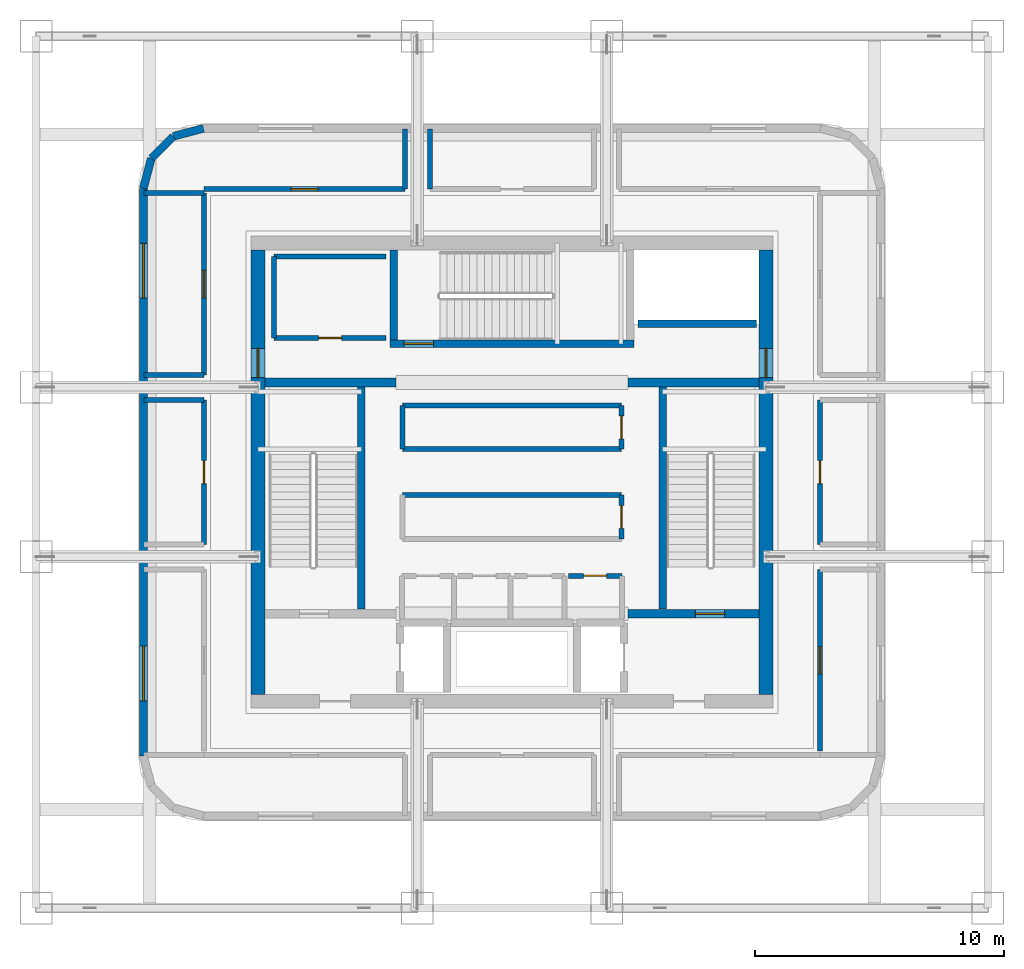
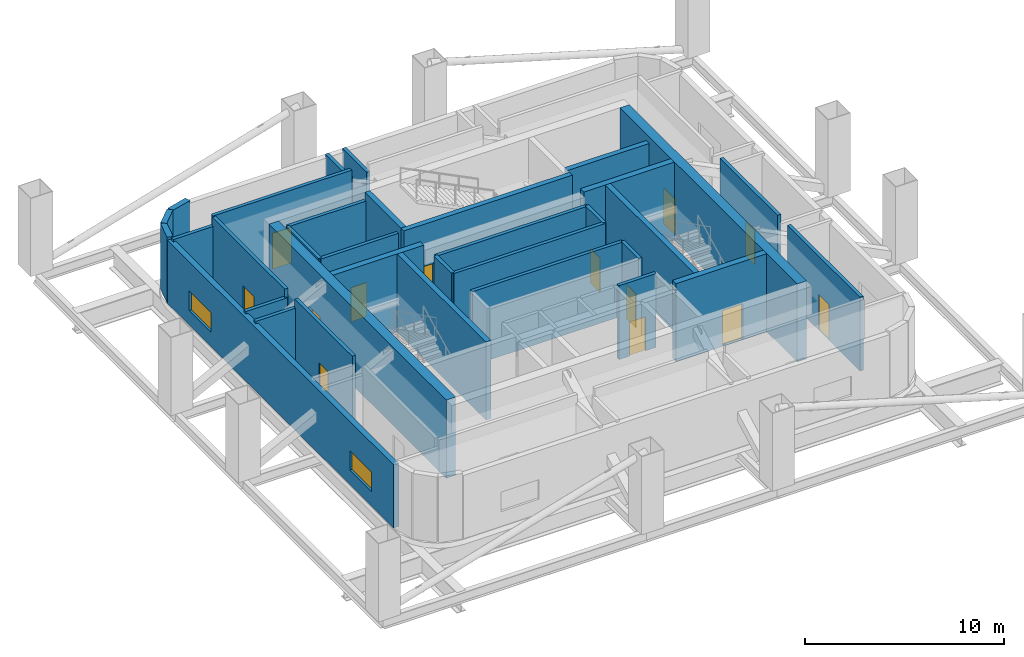
# One storey, part 5 of 8: 34 walls, 13 doors, 2 windows, 15 openings.
"""IFC4 building model written with IfcOpenShell, lengths in metres."""

from ifc_helpers import new_model, si_unit, direction, frame, frame_2d, origin, place, context, subcontext, project, spatial, rectangle, extrude, material, layer, layer_set, type_object, element, fill, save


model = new_model("IFC4")

# Units and contexts
model_context = context("Model", 3, precision=1e-05, world=origin(), true_north=direction((0.0, 1.0)))
body_context = subcontext(model_context, "Body", "Model", "MODEL_VIEW")
ifc_project = project(units=[si_unit("LENGTHUNIT", "METRE"), si_unit("AREAUNIT", "SQUARE_METRE"), si_unit("VOLUMEUNIT", "CUBIC_METRE"), si_unit("PLANEANGLEUNIT", "RADIAN"), si_unit("MASSUNIT", "GRAM", prefix="KILO")], contexts=[model_context])

# Site, building, storey
site_placement = place(None, origin())
site = spatial("IfcSite", under=ifc_project, at=site_placement, CompositionType="ELEMENT")
building_placement = place(site_placement, origin())
building = spatial("IfcBuilding", under=site, at=building_placement, Name="Punatoya Terracotta Tower", CompositionType="ELEMENT")
storey_placement = place(building_placement, frame((0.0, 0.0, 241.800048828125)))
storey = spatial("IfcBuildingStorey", under=building, at=storey_placement, Name="L57", CompositionType="ELEMENT", Elevation=241.800048828125)

# Wall, opening, door
ifc_material_1 = material(Name="Concrete C50/60", Category="concrete")
ifc_layer_1 = layer(ifc_material_1, 0.550048828125)
ifc_layer_set_1 = layer_set([ifc_layer_1], Name="Concrete C50/60")
wall_type_1 = type_object("IfcWallType", Name="WL-COR-550", PredefinedType="SHEAR", material=ifc_layer_set_1)
wall_1_placement = place(storey_placement, frame((-10.199951171875, -8.925048828125, 0.0), z_axis=(0.0, 0.0, 1.0), x_axis=(0.0, 1.0, 0.0)))
wall_1 = element("IfcWall", 1, at=wall_1_placement, inside=storey, type_object=wall_type_1, Name="L57 Core Shear Wall W", PredefinedType="SHEAR", context=body_context, shape_type="SweptSolid", body=[
    extrude(rectangle(XDim=17.85009765625, YDim=0.550048828125, at=frame_2d((8.925048828125, 0.0))), origin(), (0.0, 0.0, 1.0), 4.800048828125),
])
opening_1_placement = place(wall_1_placement, frame((12.715087890625, 0.0, 0.0)))
opening_1 = element("IfcOpeningElement", 2, at=opening_1_placement, cuts=wall_1, Name="Opening SD-01", PredefinedType="OPENING", context=body_context, shape_type="SweptSolid", body=[
    extrude(rectangle(XDim=1.179931640625, YDim=2.199951171875, at=frame_2d((0.58984375, 1.10009765625))), frame((0.0, 0.284912109375, 0.0), z_axis=(0.0, -1.0, 0.0), x_axis=(1.0, 0.0, 0.0)), (0.0, 0.0, 1.0), 0.570068359375),
])
ifc_material_2 = material(Name="Galvanised Steel Pressurized Stair Fire Door", Category="steel")
door_type_1 = type_object("IfcDoorType", Name="DR-STR-1180", OperationType="NOTDEFINED", PredefinedType="DOOR", material=ifc_material_2)
door_1_placement = place(opening_1_placement, origin())
door_1 = element("IfcDoor", 3, at=door_1_placement, inside=storey, type_object=door_type_1, Name="L57 Central Lift Lobby West Fire Door", OperationType="SINGLE_SWING_LEFT", OverallHeight=2.199951171875, OverallWidth=1.179931640625, PredefinedType="DOOR", context=body_context, shape_type="SweptSolid", body=[
    extrude(rectangle(XDim=1.179931640625, YDim=2.199951171875, at=frame_2d((0.58984375, 1.10009765625))), frame((0.0, 0.02490234375, 0.0), z_axis=(0.0, -1.0, 0.0), x_axis=(1.0, 0.0, 0.0)), (0.0, 0.0, 1.0), 0.050048828125),
])
fill(opening_1, door_1)

wall_2_placement = place(storey_placement, frame((10.199951171875, 8.925048828125, 0.0), z_axis=(0.0, 0.0, 1.0), x_axis=(0.0, -1.0, 0.0)))
wall_2 = element("IfcWall", 4, at=wall_2_placement, inside=storey, type_object=wall_type_1, Name="L57 Core Shear Wall E", PredefinedType="SHEAR", context=body_context, shape_type="SweptSolid", body=[
    extrude(rectangle(XDim=17.85009765625, YDim=0.550048828125, at=frame_2d((8.925048828125, 0.0))), origin(), (0.0, 0.0, 1.0), 4.800048828125),
])
opening_2_placement = place(wall_2_placement, frame((3.955078125, 0.0, 0.0)))
opening_2 = element("IfcOpeningElement", 5, at=opening_2_placement, cuts=wall_2, Name="Opening SD-01", PredefinedType="OPENING", context=body_context, shape_type="SweptSolid", body=[
    extrude(rectangle(XDim=1.179931640625, YDim=2.199951171875, at=frame_2d((0.58984375, 1.10009765625))), frame((0.0, 0.284912109375, 0.0), z_axis=(0.0, -1.0, 0.0), x_axis=(1.0, 0.0, 0.0)), (0.0, 0.0, 1.0), 0.570068359375),
])
door_2_placement = place(opening_2_placement, origin())
door_2 = element("IfcDoor", 6, at=door_2_placement, inside=storey, type_object=door_type_1, Name="L57 Central Lift Lobby East Fire Door", OperationType="SINGLE_SWING_RIGHT", OverallHeight=2.199951171875, OverallWidth=1.179931640625, PredefinedType="DOOR", context=body_context, shape_type="SweptSolid", body=[
    extrude(rectangle(XDim=1.179931640625, YDim=2.199951171875, at=frame_2d((0.58984375, 1.10009765625))), frame((0.0, 0.02490234375, 0.0), z_axis=(0.0, -1.0, 0.0), x_axis=(1.0, 0.0, 0.0)), (0.0, 0.0, 1.0), 0.050048828125),
])
fill(opening_2, door_2)

# Walls
ifc_material_3 = material(Name="Precast concrete C40/50", Category="concrete")
ifc_layer_2 = layer(ifc_material_3, 0.320068359375)
ifc_layer_set_2 = layer_set([ifc_layer_2], Name="Precast concrete C40/50")
wall_type_2 = type_object("IfcWallType", Name="WL-EXT-320", PredefinedType="SOLIDWALL", material=ifc_layer_set_2)
wall_3_placement = place(storey_placement, frame((-12.386962890625, 13.800048828125, 0.0), z_axis=(0.0, 0.0, 1.0), x_axis=(-0.966283375382, -0.25748094776, 0.0)))
element("IfcWall", 7, at=wall_3_placement, inside=storey, type_object=wall_type_2, Name="L57 Rounded Terracotta Corner Pier 10", PredefinedType="SOLIDWALL", context=body_context, shape_type="SweptSolid", body=[
    extrude(rectangle(XDim=1.25439453125, YDim=0.320068359375, at=frame_2d((0.627197265625, 0.0))), origin(), (0.0, 0.0, 1.0), 4.033935546875),
])
wall_4_placement = place(storey_placement, frame((-13.59912109375, 13.47705078125, 0.0), z_axis=(0.0, 0.0, 1.0), x_axis=(-0.707106781187, -0.707106781187, 0.0)))
element("IfcWall", 8, at=wall_4_placement, inside=storey, type_object=wall_type_2, Name="L57 Rounded Terracotta Corner Pier 11", PredefinedType="SOLIDWALL", context=body_context, shape_type="SweptSolid", body=[
    extrude(rectangle(XDim=1.24169921875, YDim=0.320068359375, at=frame_2d((0.620849609375, 0.0))), origin(), (0.0, 0.0, 1.0), 4.033935546875),
])
wall_5_placement = place(storey_placement, frame((-14.47705078125, 12.59912109375, 0.0), z_axis=(0.0, 0.0, 1.0), x_axis=(-0.25748094776, -0.966283375382, 0.0)))
element("IfcWall", 9, at=wall_5_placement, inside=storey, type_object=wall_type_2, Name="L57 Rounded Terracotta Corner Pier 12", PredefinedType="SOLIDWALL", context=body_context, shape_type="SweptSolid", body=[
    extrude(rectangle(XDim=1.25439453125, YDim=0.320068359375, at=frame_2d((0.627197265625, 0.0))), origin(), (0.0, 0.0, 1.0), 4.033935546875),
])

# Wall, openings, windows
wall_6_placement = place(storey_placement, frame((-14.800048828125, 11.386962890625, 0.0), z_axis=(0.0, 0.0, 1.0), x_axis=(0.0, -1.0, 0.0)))
wall_6 = element("IfcWall", 10, at=wall_6_placement, inside=storey, type_object=wall_type_2, Name="L57 Terracotta Louvre Plant Enclosure W", PredefinedType="SOLIDWALL", context=body_context, shape_type="SweptSolid", body=[
    extrude(rectangle(XDim=22.77392578125, YDim=0.320068359375, at=frame_2d((11.386962890625, 0.0))), origin(), (0.0, 0.0, 1.0), 3.884033203125),
])
opening_3_placement = place(wall_6_placement, frame((2.199951171875, 0.0, 0.89990234375)))
opening_3 = element("IfcOpeningElement", 11, at=opening_3_placement, cuts=wall_6, Name="Opening WN-09", PredefinedType="OPENING", context=body_context, shape_type="SweptSolid", body=[
    extrude(rectangle(XDim=2.199951171875, YDim=1.199951171875, at=frame_2d((1.10009765625, 0.60009765625))), frame((0.0, 0.169921875, 0.0), z_axis=(0.0, -1.0, 0.0), x_axis=(1.0, 0.0, 0.0)), (0.0, 0.0, 1.0), 0.340087890625),
])
opening_4_placement = place(wall_6_placement, frame((18.373779296875, 0.0, 0.89990234375)))
opening_4 = element("IfcOpeningElement", 12, at=opening_4_placement, cuts=wall_6, Name="Opening WN-09", PredefinedType="OPENING", context=body_context, shape_type="SweptSolid", body=[
    extrude(rectangle(XDim=2.199951171875, YDim=1.199951171875, at=frame_2d((1.10009765625, 0.60009765625))), frame((0.0, 0.169921875, 0.0), z_axis=(0.0, -1.0, 0.0), x_axis=(1.0, 0.0, 0.0)), (0.0, 0.0, 1.0), 0.340087890625),
])
ifc_material_4 = material(Name="Aluminium 6063-T6 + Double Low-E Glass", Category="aluminium")
window_type = type_object("IfcWindowType", Name="WIN-CLR-2200", PartitioningType="SINGLE_PANEL", PredefinedType="WINDOW", material=ifc_material_4)
window_1_placement = place(opening_3_placement, origin())
window_1 = element("IfcWindow", 13, at=window_1_placement, inside=storey, type_object=window_type, Name="L57 Refuge Daylight Window W1", OverallHeight=1.199951171875, OverallWidth=2.199951171875, PartitioningType="SINGLE_PANEL", PredefinedType="WINDOW", context=body_context, shape_type="SweptSolid", body=[
    extrude(rectangle(XDim=2.199951171875, YDim=1.199951171875, at=frame_2d((1.10009765625, 0.60009765625))), frame((0.0, 0.030029296875, 0.0), z_axis=(0.0, -1.0, 0.0), x_axis=(1.0, 0.0, 0.0)), (0.0, 0.0, 1.0), 0.06005859375),
])
fill(opening_3, window_1)
window_2_placement = place(opening_4_placement, origin())
window_2 = element("IfcWindow", 14, at=window_2_placement, inside=storey, type_object=window_type, Name="L57 Refuge Daylight Window W2", OverallHeight=1.199951171875, OverallWidth=2.199951171875, PartitioningType="SINGLE_PANEL", PredefinedType="WINDOW", context=body_context, shape_type="SweptSolid", body=[
    extrude(rectangle(XDim=2.199951171875, YDim=1.199951171875, at=frame_2d((1.10009765625, 0.60009765625))), frame((0.0, 0.030029296875, 0.0), z_axis=(0.0, -1.0, 0.0), x_axis=(1.0, 0.0, 0.0)), (0.0, 0.0, 1.0), 0.06005859375),
])
fill(opening_4, window_2)

# Wall, opening, door
ifc_material_5 = material(Name="Concrete C40/50", Category="concrete")
ifc_layer_3 = layer(ifc_material_5, 0.199951171875)
ifc_layer_set_3 = layer_set([ifc_layer_3], Name="Concrete C40/50")
wall_type_3 = type_object("IfcWallType", Name="WL-INT-200", PredefinedType="SOLIDWALL", material=ifc_layer_set_3)
wall_7_placement = place(storey_placement, frame((4.419921875, -4.159912109375, 0.0), z_axis=(0.0, 0.0, 1.0), x_axis=(-1.0, 0.0, 0.0)))
wall_7 = element("IfcWall", 15, at=wall_7_placement, inside=storey, type_object=wall_type_3, Name="L57 Core Electrical Switchgear Room Partition 09", PredefinedType="SOLIDWALL", context=body_context, shape_type="SweptSolid", body=[
    extrude(rectangle(XDim=2.159912109375, YDim=0.199951171875, at=frame_2d((1.080078125, 0.0))), origin(), (0.0, 0.0, 1.0), 4.5400390625),
])
opening_5_placement = place(wall_7_placement, frame((0.6201171875, 0.0, 0.0)))
opening_5 = element("IfcOpeningElement", 16, at=opening_5_placement, cuts=wall_7, Name="Opening FD-R1", PredefinedType="OPENING", context=body_context, shape_type="SweptSolid", body=[
    extrude(rectangle(XDim=0.919921875, YDim=2.10009765625, at=frame_2d((0.4599609375, 1.050048828125))), frame((0.0, 0.10986328125, 0.0), z_axis=(0.0, -1.0, 0.0), x_axis=(1.0, 0.0, 0.0)), (0.0, 0.0, 1.0), 0.219970703125),
])
ifc_material_6 = material(Name="Galvanised Steel Riser Fire Access Door", Category="steel")
door_type_2 = type_object("IfcDoorType", Name="DR-RSR-920", OperationType="NOTDEFINED", PredefinedType="DOOR", material=ifc_material_6)
door_3_placement = place(opening_5_placement, origin())
door_3 = element("IfcDoor", 17, at=door_3_placement, inside=storey, type_object=door_type_2, Name="L57 Core Electrical Switchgear Room Fire Door", OperationType="SINGLE_SWING_LEFT", OverallHeight=2.10009765625, OverallWidth=0.919921875, PredefinedType="DOOR", context=body_context, shape_type="SweptSolid", body=[
    extrude(rectangle(XDim=0.919921875, YDim=2.10009765625, at=frame_2d((0.4599609375, 1.050048828125))), frame((0.0, 0.02490234375, 0.0), z_axis=(0.0, -1.0, 0.0), x_axis=(1.0, 0.0, 0.0)), (0.0, 0.0, 1.0), 0.050048828125),
])
fill(opening_5, door_3)

wall_8_placement = place(storey_placement, frame((4.39990234375, -2.679931640625, 0.0), z_axis=(0.0, 0.0, 1.0), x_axis=(0.0, 1.0, 0.0)))
wall_8 = element("IfcWall", 18, at=wall_8_placement, inside=storey, type_object=wall_type_3, Name="L57 Zone Mechanical Riser Plant Partition 10", PredefinedType="SOLIDWALL", context=body_context, shape_type="SweptSolid", body=[
    extrude(rectangle(XDim=1.760009765625, YDim=0.199951171875, at=frame_2d((0.8798828125, 0.0))), origin(), (0.0, 0.0, 1.0), 4.5400390625),
])
opening_6_placement = place(wall_8_placement, frame((0.419921875, 0.0, 0.0)))
opening_6 = element("IfcOpeningElement", 19, at=opening_6_placement, cuts=wall_8, Name="Opening FD-R1", PredefinedType="OPENING", context=body_context, shape_type="SweptSolid", body=[
    extrude(rectangle(XDim=0.919921875, YDim=2.10009765625, at=frame_2d((0.4599609375, 1.050048828125))), frame((0.0, 0.10986328125, 0.0), z_axis=(0.0, -1.0, 0.0), x_axis=(1.0, 0.0, 0.0)), (0.0, 0.0, 1.0), 0.219970703125),
])
door_4_placement = place(opening_6_placement, origin())
door_4 = element("IfcDoor", 20, at=door_4_placement, inside=storey, type_object=door_type_2, Name="L57 Zone Mechanical Riser Plant Fire Door", OperationType="SINGLE_SWING_RIGHT", OverallHeight=2.10009765625, OverallWidth=0.919921875, PredefinedType="DOOR", context=body_context, shape_type="SweptSolid", body=[
    extrude(rectangle(XDim=0.919921875, YDim=2.10009765625, at=frame_2d((0.4599609375, 1.050048828125))), frame((0.0, 0.02490234375, 0.0), z_axis=(0.0, -1.0, 0.0), x_axis=(1.0, 0.0, 0.0)), (0.0, 0.0, 1.0), 0.050048828125),
])
fill(opening_6, door_4)

# Wall
wall_9_placement = place(storey_placement, frame((4.39990234375, -0.919921875, 0.0), z_axis=(0.0, 0.0, 1.0), x_axis=(-1.0, 0.0, 0.0)))
element("IfcWall", 21, at=wall_9_placement, inside=storey, type_object=wall_type_3, Name="L57 Zone Mechanical Riser Plant Partition 11", PredefinedType="SOLIDWALL", context=body_context, shape_type="SweptSolid", body=[
    extrude(rectangle(XDim=8.7998046875, YDim=0.199951171875, at=frame_2d((4.39990234375, 0.0))), origin(), (0.0, 0.0, 1.0), 4.5400390625),
])

# Wall, opening, door
wall_10_placement = place(storey_placement, frame((4.39990234375, 0.919921875, 0.0), z_axis=(0.0, 0.0, 1.0), x_axis=(0.0, 1.0, 0.0)))
wall_10 = element("IfcWall", 22, at=wall_10_placement, inside=storey, type_object=wall_type_3, Name="L57 Transfer Zone Battery UPS Plant Partition 14", PredefinedType="SOLIDWALL", context=body_context, shape_type="SweptSolid", body=[
    extrude(rectangle(XDim=1.760009765625, YDim=0.199951171875, at=frame_2d((0.8798828125, 0.0))), origin(), (0.0, 0.0, 1.0), 4.5400390625),
])
opening_7_placement = place(wall_10_placement, frame((0.419921875, 0.0, 0.0)))
opening_7 = element("IfcOpeningElement", 23, at=opening_7_placement, cuts=wall_10, Name="Opening FD-R1", PredefinedType="OPENING", context=body_context, shape_type="SweptSolid", body=[
    extrude(rectangle(XDim=0.919921875, YDim=2.10009765625, at=frame_2d((0.4599609375, 1.050048828125))), frame((0.0, 0.10986328125, 0.0), z_axis=(0.0, -1.0, 0.0), x_axis=(1.0, 0.0, 0.0)), (0.0, 0.0, 1.0), 0.219970703125),
])
door_5_placement = place(opening_7_placement, origin())
door_5 = element("IfcDoor", 24, at=door_5_placement, inside=storey, type_object=door_type_2, Name="L57 Transfer Zone Battery UPS Plant Fire Door", OperationType="SINGLE_SWING_LEFT", OverallHeight=2.10009765625, OverallWidth=0.919921875, PredefinedType="DOOR", context=body_context, shape_type="SweptSolid", body=[
    extrude(rectangle(XDim=0.919921875, YDim=2.10009765625, at=frame_2d((0.4599609375, 1.050048828125))), frame((0.0, 0.02490234375, 0.0), z_axis=(0.0, -1.0, 0.0), x_axis=(1.0, 0.0, 0.0)), (0.0, 0.0, 1.0), 0.050048828125),
])
fill(opening_7, door_5)

# Walls
wall_11_placement = place(storey_placement, frame((4.39990234375, 2.679931640625, 0.0), z_axis=(0.0, 0.0, 1.0), x_axis=(-1.0, 0.0, 0.0)))
element("IfcWall", 25, at=wall_11_placement, inside=storey, type_object=wall_type_3, Name="L57 Transfer Zone Battery UPS Plant Partition 15", PredefinedType="SOLIDWALL", context=body_context, shape_type="SweptSolid", body=[
    extrude(rectangle(XDim=8.7998046875, YDim=0.199951171875, at=frame_2d((4.39990234375, 0.0))), origin(), (0.0, 0.0, 1.0), 4.5400390625),
])
wall_12_placement = place(storey_placement, frame((-4.39990234375, 2.679931640625, 0.0), z_axis=(0.0, 0.0, 1.0), x_axis=(0.0, -1.0, 0.0)))
element("IfcWall", 26, at=wall_12_placement, inside=storey, type_object=wall_type_3, Name="L57 Transfer Zone Battery UPS Plant Partition 16", PredefinedType="SOLIDWALL", context=body_context, shape_type="SweptSolid", body=[
    extrude(rectangle(XDim=1.760009765625, YDim=0.199951171875, at=frame_2d((0.8798828125, 0.0))), origin(), (0.0, 0.0, 1.0), 4.5400390625),
])
wall_13_placement = place(storey_placement, frame((-4.39990234375, 0.919921875, 0.0), z_axis=(0.0, 0.0, 1.0), x_axis=(1.0, 0.0, 0.0)))
element("IfcWall", 27, at=wall_13_placement, inside=storey, type_object=wall_type_3, Name="L57 Transfer Zone Battery UPS Plant Partition 17", PredefinedType="SOLIDWALL", context=body_context, shape_type="SweptSolid", body=[
    extrude(rectangle(XDim=8.7998046875, YDim=0.199951171875, at=frame_2d((4.39990234375, 0.0))), origin(), (0.0, 0.0, 1.0), 4.5400390625),
])
wall_14_placement = place(storey_placement, frame((-5.050048828125, 8.64990234375, 0.0), z_axis=(0.0, 0.0, 1.0), x_axis=(-1.0, 0.0, 0.0)))
element("IfcWall", 28, at=wall_14_placement, inside=storey, type_object=wall_type_3, Name="L57 West Duct Riser Partition 18", PredefinedType="SOLIDWALL", context=body_context, shape_type="SweptSolid", body=[
    extrude(rectangle(XDim=4.5, YDim=0.199951171875, at=frame_2d((2.25, 0.0))), origin(), (0.0, 0.0, 1.0), 4.5400390625),
])
wall_15_placement = place(storey_placement, frame((-9.550048828125, 8.64990234375, 0.0), z_axis=(0.0, 0.0, 1.0), x_axis=(0.0, -1.0, 0.0)))
element("IfcWall", 29, at=wall_15_placement, inside=storey, type_object=wall_type_3, Name="L57 West Duct Riser Partition 19", PredefinedType="SOLIDWALL", context=body_context, shape_type="SweptSolid", body=[
    extrude(rectangle(XDim=3.27001953125, YDim=0.199951171875, at=frame_2d((1.635009765625, 0.0))), origin(), (0.0, 0.0, 1.0), 4.5400390625),
])

# Wall, opening, door
wall_16_placement = place(storey_placement, frame((-9.550048828125, 5.3798828125, 0.0), z_axis=(0.0, 0.0, 1.0), x_axis=(1.0, 0.0, 0.0)))
wall_16 = element("IfcWall", 30, at=wall_16_placement, inside=storey, type_object=wall_type_3, Name="L57 West Duct Riser Partition 20", PredefinedType="SOLIDWALL", context=body_context, shape_type="SweptSolid", body=[
    extrude(rectangle(XDim=4.5, YDim=0.199951171875, at=frame_2d((2.25, 0.0))), origin(), (0.0, 0.0, 1.0), 4.5400390625),
])
opening_8_placement = place(wall_16_placement, frame((1.7900390625, 0.0, 0.0)))
opening_8 = element("IfcOpeningElement", 31, at=opening_8_placement, cuts=wall_16, Name="Opening FD-R1", PredefinedType="OPENING", context=body_context, shape_type="SweptSolid", body=[
    extrude(rectangle(XDim=0.919921875, YDim=2.10009765625, at=frame_2d((0.4599609375, 1.050048828125))), frame((0.0, 0.10986328125, 0.0), z_axis=(0.0, -1.0, 0.0), x_axis=(1.0, 0.0, 0.0)), (0.0, 0.0, 1.0), 0.219970703125),
])
door_6_placement = place(opening_8_placement, origin())
door_6 = element("IfcDoor", 32, at=door_6_placement, inside=storey, type_object=door_type_2, Name="L57 West Duct Riser Fire Door", OperationType="SINGLE_SWING_RIGHT", OverallHeight=2.10009765625, OverallWidth=0.919921875, PredefinedType="DOOR", context=body_context, shape_type="SweptSolid", body=[
    extrude(rectangle(XDim=0.919921875, YDim=2.10009765625, at=frame_2d((0.4599609375, 1.050048828125))), frame((0.0, 0.02490234375, 0.0), z_axis=(0.0, -1.0, 0.0), x_axis=(1.0, 0.0, 0.0)), (0.0, 0.0, 1.0), 0.050048828125),
])
fill(opening_8, door_6)

wall_17_placement = place(storey_placement, frame((-12.360107421875, 2.89990234375, 0.0), z_axis=(0.0, 0.0, 1.0), x_axis=(0.0, -1.0, 0.0)))
wall_17 = element("IfcWall", 33, at=wall_17_placement, inside=storey, type_object=wall_type_3, Name="L57 West Outrigger Truss & Smoke-Extract Plant Room (Central Bay) Partition 32", PredefinedType="SOLIDWALL", context=body_context, shape_type="SweptSolid", body=[
    extrude(rectangle(XDim=5.7998046875, YDim=0.199951171875, at=frame_2d((2.89990234375, 0.0))), origin(), (0.0, 0.0, 1.0), 4.5400390625),
])
opening_9_placement = place(wall_17_placement, frame((2.43994140625, 0.0, 0.0)))
opening_9 = element("IfcOpeningElement", 34, at=opening_9_placement, cuts=wall_17, Name="Opening FD-R1", PredefinedType="OPENING", context=body_context, shape_type="SweptSolid", body=[
    extrude(rectangle(XDim=0.919921875, YDim=2.10009765625, at=frame_2d((0.4599609375, 1.050048828125))), frame((0.0, 0.10986328125, 0.0), z_axis=(0.0, -1.0, 0.0), x_axis=(1.0, 0.0, 0.0)), (0.0, 0.0, 1.0), 0.219970703125),
])
door_7_placement = place(opening_9_placement, origin())
door_7 = element("IfcDoor", 35, at=door_7_placement, inside=storey, type_object=door_type_2, Name="L57 West Outrigger Truss & Smoke-Extract Plant Room (Central Bay) Fire Door", OperationType="SINGLE_SWING_LEFT", OverallHeight=2.10009765625, OverallWidth=0.919921875, PredefinedType="DOOR", context=body_context, shape_type="SweptSolid", body=[
    extrude(rectangle(XDim=0.919921875, YDim=2.10009765625, at=frame_2d((0.4599609375, 1.050048828125))), frame((0.0, 0.02490234375, 0.0), z_axis=(0.0, -1.0, 0.0), x_axis=(1.0, 0.0, 0.0)), (0.0, 0.0, 1.0), 0.050048828125),
])
fill(opening_9, door_7)

# Walls
for number, where, z_axis, x_axis, name in (
    (36, (-14.780029296875, 2.89990234375, 0.0), (0.0, 0.0, 1.0), (1.0, 0.0, 0.0), "L57 West Outrigger Truss & Smoke-Extract Plant Room (Central Bay) Partition 34"),
    (37, (-12.360107421875, 3.89990234375, 0.0), (0.0, 0.0, 1.0), (-1.0, 0.0, 0.0), "L57 West Outrigger Truss & Smoke-Extract Plant Room (North Bay) Partition 35"),
    (38, (-14.780029296875, 11.199951171875, 0.0), (0.0, 0.0, 1.0), (1.0, 0.0, 0.0), "L57 West Outrigger Truss & Smoke-Extract Plant Room (North Bay) Partition 36"),
):
    element("IfcWall", number, at=place(storey_placement, frame(where, z_axis=z_axis, x_axis=x_axis)), inside=storey, type_object=wall_type_3, Name=name, PredefinedType="SOLIDWALL", context=body_context, shape_type="SweptSolid", body=[
        extrude(rectangle(XDim=2.419921875, YDim=0.199951171875, at=frame_2d((1.2099609375, 0.0))), origin(), (0.0, 0.0, 1.0), 4.033935546875),
    ])

# Wall, opening, door
wall_18_placement = place(storey_placement, frame((-12.360107421875, 11.199951171875, 0.0), z_axis=(0.0, 0.0, 1.0), x_axis=(0.0, -1.0, 0.0)))
wall_18 = element("IfcWall", 39, at=wall_18_placement, inside=storey, type_object=wall_type_3, Name="L57 West Outrigger Truss & Smoke-Extract Plant Room (North Bay) Partition 37", PredefinedType="SOLIDWALL", context=body_context, shape_type="SweptSolid", body=[
    extrude(rectangle(XDim=7.300048828125, YDim=0.199951171875, at=frame_2d((3.64990234375, 0.0))), origin(), (0.0, 0.0, 1.0), 4.5400390625),
])
opening_10_placement = place(wall_18_placement, frame((3.10009765625, 0.0, 0.0)))
opening_10 = element("IfcOpeningElement", 40, at=opening_10_placement, cuts=wall_18, Name="Opening FD-P1", PredefinedType="OPENING", context=body_context, shape_type="SweptSolid", body=[
    extrude(rectangle(XDim=1.10009765625, YDim=2.199951171875, at=frame_2d((0.550048828125, 1.10009765625))), frame((0.0, 0.10986328125, 0.0), z_axis=(0.0, -1.0, 0.0), x_axis=(1.0, 0.0, 0.0)), (0.0, 0.0, 1.0), 0.219970703125),
])
ifc_material_7 = material(Name="Galvanised Steel Plant Fire Door", Category="steel")
door_type_3 = type_object("IfcDoorType", Name="DR-PLT-1100", OperationType="NOTDEFINED", PredefinedType="DOOR", material=ifc_material_7)
door_8_placement = place(opening_10_placement, origin())
door_8 = element("IfcDoor", 41, at=door_8_placement, inside=storey, type_object=door_type_3, Name="L57 West Outrigger Truss & Smoke-Extract Plant Room (North Bay) Fire Door", OperationType="SINGLE_SWING_RIGHT", OverallHeight=2.199951171875, OverallWidth=1.10009765625, PredefinedType="DOOR", context=body_context, shape_type="SweptSolid", body=[
    extrude(rectangle(XDim=1.10009765625, YDim=2.199951171875, at=frame_2d((0.550048828125, 1.10009765625))), frame((0.0, 0.02490234375, 0.0), z_axis=(0.0, -1.0, 0.0), x_axis=(1.0, 0.0, 0.0)), (0.0, 0.0, 1.0), 0.050048828125),
])
fill(opening_10, door_8)

wall_19_placement = place(storey_placement, frame((12.360107421875, -11.199951171875, 0.0), z_axis=(0.0, 0.0, 1.0), x_axis=(0.0, 1.0, 0.0)))
wall_19 = element("IfcWall", 42, at=wall_19_placement, inside=storey, type_object=wall_type_3, Name="L57 East Outrigger Truss & Heat-Exchanger Plant Room (South Bay) Partition 39", PredefinedType="SOLIDWALL", context=body_context, shape_type="SweptSolid", body=[
    extrude(rectangle(XDim=7.300048828125, YDim=0.199951171875, at=frame_2d((3.64990234375, 0.0))), origin(), (0.0, 0.0, 1.0), 4.5400390625),
])
opening_11_placement = place(wall_19_placement, frame((3.10009765625, 0.0, 0.0)))
opening_11 = element("IfcOpeningElement", 43, at=opening_11_placement, cuts=wall_19, Name="Opening FD-P1", PredefinedType="OPENING", context=body_context, shape_type="SweptSolid", body=[
    extrude(rectangle(XDim=1.10009765625, YDim=2.199951171875, at=frame_2d((0.550048828125, 1.10009765625))), frame((0.0, 0.10986328125, 0.0), z_axis=(0.0, -1.0, 0.0), x_axis=(1.0, 0.0, 0.0)), (0.0, 0.0, 1.0), 0.219970703125),
])
door_9_placement = place(opening_11_placement, origin())
door_9 = element("IfcDoor", 44, at=door_9_placement, inside=storey, type_object=door_type_3, Name="L57 East Outrigger Truss & Heat-Exchanger Plant Room (South Bay) Fire Door", OperationType="SINGLE_SWING_LEFT", OverallHeight=2.199951171875, OverallWidth=1.10009765625, PredefinedType="DOOR", context=body_context, shape_type="SweptSolid", body=[
    extrude(rectangle(XDim=1.10009765625, YDim=2.199951171875, at=frame_2d((0.550048828125, 1.10009765625))), frame((0.0, 0.02490234375, 0.0), z_axis=(0.0, -1.0, 0.0), x_axis=(1.0, 0.0, 0.0)), (0.0, 0.0, 1.0), 0.050048828125),
])
fill(opening_11, door_9)

wall_20_placement = place(storey_placement, frame((12.360107421875, -2.89990234375, 0.0), z_axis=(0.0, 0.0, 1.0), x_axis=(0.0, 1.0, 0.0)))
wall_20 = element("IfcWall", 45, at=wall_20_placement, inside=storey, type_object=wall_type_3, Name="L57 East Outrigger Truss & Heat-Exchanger Plant Room (Central Bay) Partition 40", PredefinedType="SOLIDWALL", context=body_context, shape_type="SweptSolid", body=[
    extrude(rectangle(XDim=5.7998046875, YDim=0.199951171875, at=frame_2d((2.89990234375, 0.0))), origin(), (0.0, 0.0, 1.0), 4.5400390625),
])
opening_12_placement = place(wall_20_placement, frame((2.43994140625, 0.0, 0.0)))
opening_12 = element("IfcOpeningElement", 46, at=opening_12_placement, cuts=wall_20, Name="Opening FD-R1", PredefinedType="OPENING", context=body_context, shape_type="SweptSolid", body=[
    extrude(rectangle(XDim=0.919921875, YDim=2.10009765625, at=frame_2d((0.4599609375, 1.050048828125))), frame((0.0, 0.10986328125, 0.0), z_axis=(0.0, -1.0, 0.0), x_axis=(1.0, 0.0, 0.0)), (0.0, 0.0, 1.0), 0.219970703125),
])
door_10_placement = place(opening_12_placement, origin())
door_10 = element("IfcDoor", 47, at=door_10_placement, inside=storey, type_object=door_type_2, Name="L57 East Outrigger Truss & Heat-Exchanger Plant Room (Central Bay) Fire Door", OperationType="SINGLE_SWING_RIGHT", OverallHeight=2.10009765625, OverallWidth=0.919921875, PredefinedType="DOOR", context=body_context, shape_type="SweptSolid", body=[
    extrude(rectangle(XDim=0.919921875, YDim=2.10009765625, at=frame_2d((0.4599609375, 1.050048828125))), frame((0.0, 0.02490234375, 0.0), z_axis=(0.0, -1.0, 0.0), x_axis=(1.0, 0.0, 0.0)), (0.0, 0.0, 1.0), 0.050048828125),
])
fill(opening_12, door_10)

# Wall
wall_21_placement = place(storey_placement, frame((-4.300048828125, 13.780029296875, 0.0), z_axis=(0.0, 0.0, 1.0), x_axis=(0.0, -1.0, 0.0)))
element("IfcWall", 48, at=wall_21_placement, inside=storey, type_object=wall_type_3, Name="L57 North Electrical Transformer Plant Room (West Bay) Partition 46", PredefinedType="SOLIDWALL", context=body_context, shape_type="SweptSolid", body=[
    extrude(rectangle(XDim=2.419921875, YDim=0.199951171875, at=frame_2d((1.2099609375, 0.0))), origin(), (0.0, 0.0, 1.0), 4.033935546875),
])

# Wall, opening, door
wall_22_placement = place(storey_placement, frame((-4.300048828125, 11.360107421875, 0.0), z_axis=(0.0, 0.0, 1.0), x_axis=(-1.0, 0.0, 0.0)))
wall_22 = element("IfcWall", 49, at=wall_22_placement, inside=storey, type_object=wall_type_3, Name="L57 North Electrical Transformer Plant Room (West Bay) Partition 47", PredefinedType="SOLIDWALL", context=body_context, shape_type="SweptSolid", body=[
    extrude(rectangle(XDim=8.06005859375, YDim=0.199951171875, at=frame_2d((4.030029296875, 0.0))), origin(), (0.0, 0.0, 1.0), 4.5400390625),
])
opening_13_placement = place(wall_22_placement, frame((3.47998046875, 0.0, 0.0)))
opening_13 = element("IfcOpeningElement", 50, at=opening_13_placement, cuts=wall_22, Name="Opening FD-P1", PredefinedType="OPENING", context=body_context, shape_type="SweptSolid", body=[
    extrude(rectangle(XDim=1.10009765625, YDim=2.199951171875, at=frame_2d((0.550048828125, 1.10009765625))), frame((0.0, 0.10986328125, 0.0), z_axis=(0.0, -1.0, 0.0), x_axis=(1.0, 0.0, 0.0)), (0.0, 0.0, 1.0), 0.219970703125),
])
door_11_placement = place(opening_13_placement, origin())
door_11 = element("IfcDoor", 51, at=door_11_placement, inside=storey, type_object=door_type_3, Name="L57 North Electrical Transformer Plant Room (West Bay) Fire Door", OperationType="SINGLE_SWING_RIGHT", OverallHeight=2.199951171875, OverallWidth=1.10009765625, PredefinedType="DOOR", context=body_context, shape_type="SweptSolid", body=[
    extrude(rectangle(XDim=1.10009765625, YDim=2.199951171875, at=frame_2d((0.550048828125, 1.10009765625))), frame((0.0, 0.02490234375, 0.0), z_axis=(0.0, -1.0, 0.0), x_axis=(1.0, 0.0, 0.0)), (0.0, 0.0, 1.0), 0.050048828125),
])
fill(opening_13, door_11)

# Walls
wall_23_placement = place(storey_placement, frame((-3.300048828125, 11.360107421875, 0.0), z_axis=(0.0, 0.0, 1.0), x_axis=(0.0, 1.0, 0.0)))
element("IfcWall", 52, at=wall_23_placement, inside=storey, type_object=wall_type_3, Name="L57 North Electrical Transformer Plant Room (Central Bay) Partition 49", PredefinedType="SOLIDWALL", context=body_context, shape_type="SweptSolid", body=[
    extrude(rectangle(XDim=2.419921875, YDim=0.199951171875, at=frame_2d((1.2099609375, 0.0))), origin(), (0.0, 0.0, 1.0), 4.033935546875),
])
ifc_layer_4 = layer(ifc_material_5, 0.300048828125)
ifc_layer_set_4 = layer_set([ifc_layer_4], Name="Concrete C40/50")
wall_type_4 = type_object("IfcWallType", Name="WL-SHF-300", PredefinedType="SOLIDWALL", material=ifc_layer_set_4)
for number, where, z_axis, x_axis, name in (
    (53, (-6.050048828125, -5.5, 0.0), (0.0, 0.0, 1.0), (0.0, 1.0, 0.0), "L57 Structural Stair Shaft Wall SW-ST1-E"),
    (54, (6.050048828125, 3.449951171875, 0.0), (0.0, 0.0, 1.0), (0.0, -1.0, 0.0), "L57 Structural Stair Shaft Wall SW-ST2-W"),
):
    element("IfcWall", number, at=place(storey_placement, frame(where, z_axis=z_axis, x_axis=x_axis)), inside=storey, type_object=wall_type_4, Name=name, PredefinedType="SOLIDWALL", context=body_context, shape_type="SweptSolid", body=[
        extrude(rectangle(XDim=8.949951171875, YDim=0.300048828125, at=frame_2d((4.47509765625, 0.0))), origin(), (0.0, 0.0, 1.0), 4.800048828125),
    ])
wall_24_placement = place(storey_placement, frame((-4.75, 5.300048828125, 0.0), z_axis=(0.0, 0.0, 1.0), x_axis=(0.0, 1.0, 0.0)))
element("IfcWall", 55, at=wall_24_placement, inside=storey, type_object=wall_type_4, Name="L57 Structural Stair Shaft Wall SW-ST3-W", PredefinedType="SOLIDWALL", context=body_context, shape_type="SweptSolid", body=[
    extrude(rectangle(XDim=3.625, YDim=0.300048828125, at=frame_2d((1.8125, 0.0))), origin(), (0.0, 0.0, 1.0), 4.800048828125),
])

# Wall, opening, door
wall_25_placement = place(storey_placement, frame((-4.89990234375, 5.14990234375, 0.0), z_axis=(0.0, 0.0, 1.0), x_axis=(1.0, 0.0, 0.0)))
wall_25 = element("IfcWall", 56, at=wall_25_placement, inside=storey, type_object=wall_type_4, Name="L57 Structural Stair Shaft Wall SW-ST3-S", PredefinedType="SOLIDWALL", context=body_context, shape_type="SweptSolid", body=[
    extrude(rectangle(XDim=9.7998046875, YDim=0.300048828125, at=frame_2d((4.89990234375, 0.0))), origin(), (0.0, 0.0, 1.0), 4.800048828125),
])
opening_14_placement = place(wall_25_placement, frame((0.56005859375, 0.0, 0.0)))
opening_14 = element("IfcOpeningElement", 57, at=opening_14_placement, cuts=wall_25, Name="Opening SD-01", PredefinedType="OPENING", context=body_context, shape_type="SweptSolid", body=[
    extrude(rectangle(XDim=1.179931640625, YDim=2.199951171875, at=frame_2d((0.58984375, 1.10009765625))), frame((0.0, 0.159912109375, 0.0), z_axis=(0.0, -1.0, 0.0), x_axis=(1.0, 0.0, 0.0)), (0.0, 0.0, 1.0), 0.320068359375),
])
door_12_placement = place(opening_14_placement, origin())
door_12 = element("IfcDoor", 58, at=door_12_placement, inside=storey, type_object=door_type_1, Name="L57 Stair ST-3 Core Lobby Fire Door", OperationType="SINGLE_SWING_LEFT", OverallHeight=2.199951171875, OverallWidth=1.179931640625, PredefinedType="DOOR", context=body_context, shape_type="SweptSolid", body=[
    extrude(rectangle(XDim=1.179931640625, YDim=2.199951171875, at=frame_2d((0.58984375, 1.10009765625))), frame((0.0, 0.02490234375, 0.0), z_axis=(0.0, -1.0, 0.0), x_axis=(1.0, 0.0, 0.0)), (0.0, 0.0, 1.0), 0.050048828125),
])
fill(opening_14, door_12)

# Wall
wall_26_placement = place(storey_placement, frame((5.06005859375, 5.949951171875, 0.0), z_axis=(0.0, 0.0, 1.0), x_axis=(1.0, 0.0, 0.0)))
element("IfcWall", 59, at=wall_26_placement, inside=storey, type_object=wall_type_4, Name="L57 Shuttle SL-2 South Hoistway Wall", PredefinedType="SOLIDWALL", context=body_context, shape_type="SweptSolid", body=[
    extrude(rectangle(XDim=4.760009765625, YDim=0.300048828125, at=frame_2d((2.3798828125, 0.0))), origin(), (0.0, 0.0, 1.0), 4.5400390625),
])

# Wall, opening, door
ifc_layer_5 = layer(ifc_material_1, 0.35009765625)
ifc_layer_set_5 = layer_set([ifc_layer_5], Name="Concrete C50/60")
wall_type_5 = type_object("IfcWallType", Name="WL-SHF-350", PredefinedType="SOLIDWALL", material=ifc_layer_set_5)
wall_27_placement = place(storey_placement, frame((4.64990234375, -5.679931640625, 0.0), z_axis=(0.0, 0.0, 1.0), x_axis=(1.0, 0.0, 0.0)))
wall_27 = element("IfcWall", 60, at=wall_27_placement, inside=storey, type_object=wall_type_5, Name="L57 Core Web Wall CSW-R", PredefinedType="SOLIDWALL", context=body_context, shape_type="SweptSolid", body=[
    extrude(rectangle(XDim=5.275146484375, YDim=0.35009765625, at=frame_2d((2.6376953125, 0.0))), origin(), (0.0, 0.0, 1.0), 4.800048828125),
])
opening_15_placement = place(wall_27_placement, frame((2.7099609375, 0.0, 0.0)))
opening_15 = element("IfcOpeningElement", 61, at=opening_15_placement, cuts=wall_27, Name="Opening SD-01", PredefinedType="OPENING", context=body_context, shape_type="SweptSolid", body=[
    extrude(rectangle(XDim=1.179931640625, YDim=2.199951171875, at=frame_2d((0.58984375, 1.10009765625))), frame((0.0, 0.18505859375, 0.0), z_axis=(0.0, -1.0, 0.0), x_axis=(1.0, 0.0, 0.0)), (0.0, 0.0, 1.0), 0.3701171875),
])
door_13_placement = place(opening_15_placement, origin())
door_13 = element("IfcDoor", 62, at=door_13_placement, inside=storey, type_object=door_type_1, Name="L57 Stair ST-2 Smokeproof Lobby Fire Door", OperationType="SINGLE_SWING_RIGHT", OverallHeight=2.199951171875, OverallWidth=1.179931640625, PredefinedType="DOOR", context=body_context, shape_type="SweptSolid", body=[
    extrude(rectangle(XDim=1.179931640625, YDim=2.199951171875, at=frame_2d((0.58984375, 1.10009765625))), frame((0.0, 0.02490234375, 0.0), z_axis=(0.0, -1.0, 0.0), x_axis=(1.0, 0.0, 0.0)), (0.0, 0.0, 1.0), 0.050048828125),
])
fill(opening_15, door_13)

# Walls
for number, where, z_axis, x_axis, name in (
    (63, (-9.925048828125, 3.60009765625, 0.0), (0.0, 0.0, 1.0), (1.0, 0.0, 0.0), "L57 Core Web Wall CNW-L"),
    (64, (4.64990234375, 3.60009765625, 0.0), (0.0, 0.0, 1.0), (1.0, 0.0, 0.0), "L57 Core Web Wall CNW-R"),
):
    element("IfcWall", number, at=place(storey_placement, frame(where, z_axis=z_axis, x_axis=x_axis)), inside=storey, type_object=wall_type_5, Name=name, PredefinedType="SOLIDWALL", context=body_context, shape_type="SweptSolid", body=[
        extrude(rectangle(XDim=5.275146484375, YDim=0.35009765625, at=frame_2d((2.6376953125, 0.0))), origin(), (0.0, 0.0, 1.0), 4.800048828125),
    ])

save(model, "model.ifc")
